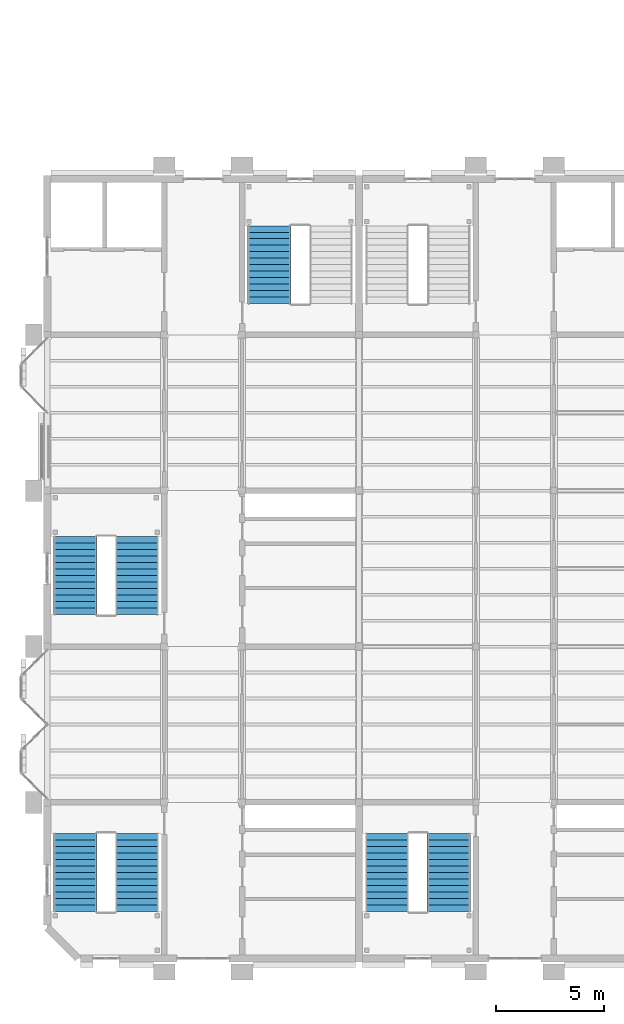
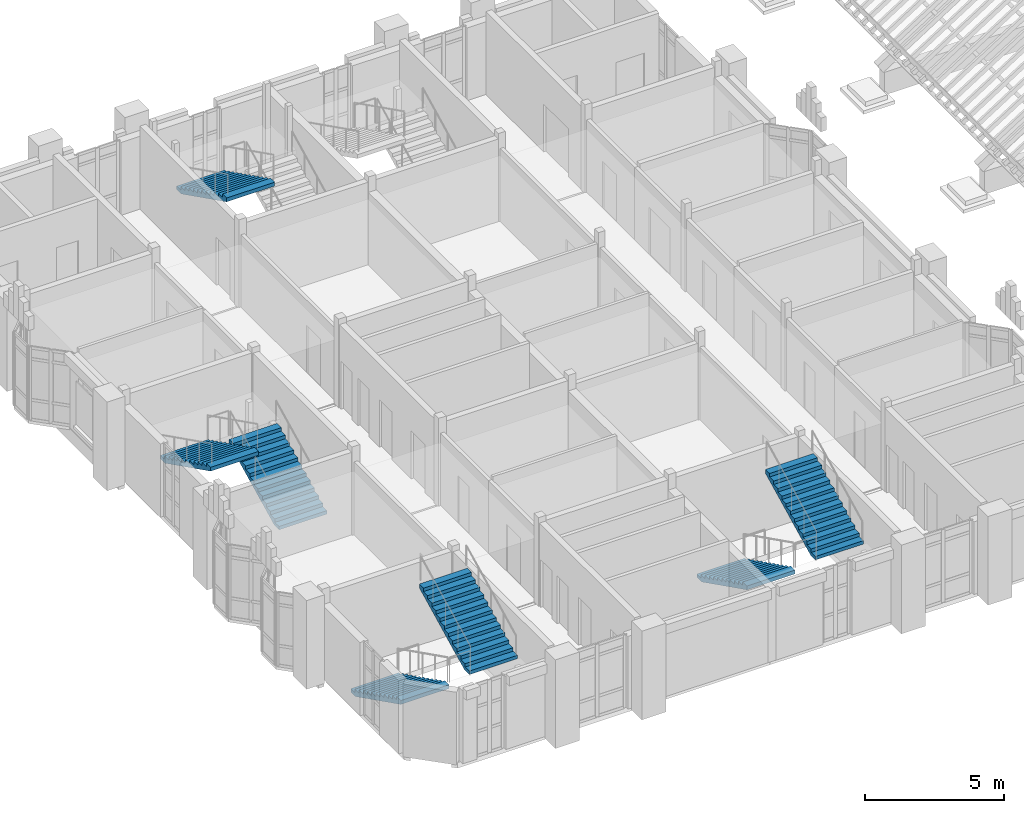
# One storey, part 59 of 71: 7 stair flights, 4 elements without a shape of their own.
"""IFC4 building model written with IfcOpenShell, lengths in metres."""

from ifc_helpers import new_model, si_unit, direction, frame, origin, place, context, subcontext, project, spatial, faceted_brep, material, type_object, element, aggregate, save


model = new_model("IFC4")

# Units and contexts
model_context = context("Model", 3, precision=1e-05, world=origin(), true_north=direction((0.0, 1.0)))
body_context = subcontext(model_context, "Body", "Model", "MODEL_VIEW")
ifc_project = project(units=[si_unit("LENGTHUNIT", "METRE"), si_unit("AREAUNIT", "SQUARE_METRE"), si_unit("VOLUMEUNIT", "CUBIC_METRE"), si_unit("PLANEANGLEUNIT", "RADIAN"), si_unit("MASSUNIT", "GRAM", prefix="KILO")], contexts=[model_context])

# Site, building, storey
site_placement = place(None, origin())
site = spatial("IfcSite", under=ifc_project, at=site_placement, CompositionType="ELEMENT")
building_placement = place(site_placement, origin())
building = spatial("IfcBuilding", under=site, at=building_placement, Name="Mazhai Court Health Centre", CompositionType="ELEMENT")
storey_placement = place(building_placement, frame((0.0, 0.0, 10.199951171875)))
storey = spatial("IfcBuildingStorey", under=building, at=storey_placement, Name="L02", CompositionType="ELEMENT", Elevation=10.199951171875)

# Stair, stair flights
ifc_material_1 = material(Name="Concrete M40", Category="concrete")
stair_type = type_object("IfcStairType", Name="RC STAIR 2000 26R", PredefinedType="DOUBLE_RETURN_STAIR", material=ifc_material_1)
stair_1_placement = place(storey_placement, origin())
stair_1 = element("IfcStair", 1, at=stair_1_placement, inside=storey, type_object=stair_type, Name="L02 Stair 1", PredefinedType="HALF_TURN_STAIR")
ifc_material_2 = material(Name="Concrete M40", Category="concrete")
stair_flight_type = type_object("IfcStairFlightType", Name="RC STAIR FLIGHT 13R 2000", PredefinedType="STRAIGHT", material=ifc_material_2)
stair_flight_1_placement = place(storey_placement, frame((7.4951171875, 11.965087890625, 0.0), z_axis=(0.0, 0.0, 1.0), x_axis=(0.0, -1.0, 0.0)))
stair_flight_1 = element("IfcStairFlight", 2, at=stair_flight_1_placement, type_object=stair_flight_type, Name="ST1 flight 1", NumberOfRisers=13, NumberOfTreads=12, PredefinedType="STRAIGHT", RiserHeight=0.15, TreadLength=0.3, context=body_context, shape_type="Brep", body=[
    faceted_brep([(0.0, 1.0, 0.0), (0.0, 1.0, 0.14990234375), (0.300048828125, 1.0, 0.14990234375), (0.300048828125, 1.0, 0.300048828125), (0.60009765625, 1.0, 0.300048828125), (0.60009765625, 1.0, 0.449951171875), (0.89990234375, 1.0, 0.449951171875), (0.89990234375, 1.0, 0.60009765625), (1.199951171875, 1.0, 0.60009765625), (1.199951171875, 1.0, 0.75), (1.5, 1.0, 0.75), (1.5, 1.0, 0.89990234375), (1.800048828125, 1.0, 0.89990234375), (1.800048828125, 1.0, 1.050048828125), (2.10009765625, 1.0, 1.050048828125), (2.10009765625, 1.0, 1.199951171875), (2.39990234375, 1.0, 1.199951171875), (2.39990234375, 1.0, 1.35009765625), (2.699951171875, 1.0, 1.35009765625), (2.699951171875, 1.0, 1.5), (3.0, 1.0, 1.5), (3.0, 1.0, 1.64990234375), (3.300048828125, 1.0, 1.64990234375), (3.300048828125, 1.0, 1.800048828125), (3.60009765625, 1.0, 1.800048828125), (3.60009765625, 1.0, 1.63232421875), (0.335205078125, 1.0, 0.0), (0.335205078125, -1.0, 0.0), (3.60009765625, -1.0, 1.63232421875), (3.60009765625, -1.0, 1.800048828125), (3.300048828125, -1.0, 1.800048828125), (3.300048828125, -1.0, 1.64990234375), (3.0, -1.0, 1.64990234375), (3.0, -1.0, 1.5), (2.699951171875, -1.0, 1.5), (2.699951171875, -1.0, 1.35009765625), (2.39990234375, -1.0, 1.35009765625), (2.39990234375, -1.0, 1.199951171875), (2.10009765625, -1.0, 1.199951171875), (2.10009765625, -1.0, 1.050048828125), (1.800048828125, -1.0, 1.050048828125), (1.800048828125, -1.0, 0.89990234375), (1.5, -1.0, 0.89990234375), (1.5, -1.0, 0.75), (1.199951171875, -1.0, 0.75), (1.199951171875, -1.0, 0.60009765625), (0.89990234375, -1.0, 0.60009765625), (0.89990234375, -1.0, 0.449951171875), (0.60009765625, -1.0, 0.449951171875), (0.60009765625, -1.0, 0.300048828125), (0.300048828125, -1.0, 0.300048828125), (0.300048828125, -1.0, 0.14990234375), (0.0, -1.0, 0.14990234375), (0.0, -1.0, 0.0), (0.0, 0.0, 0.0), (0.0, 0.0, 0.14990234375), (0.300048828125, 0.0, 0.14990234375), (0.300048828125, 0.0, 0.300048828125), (0.60009765625, 0.0, 0.300048828125), (0.60009765625, 0.0, 0.449951171875), (0.89990234375, 0.0, 0.449951171875), (0.89990234375, 0.0, 0.60009765625), (1.199951171875, 0.0, 0.60009765625), (1.199951171875, 0.0, 0.75), (1.5, 0.0, 0.75), (1.5, 0.0, 0.89990234375), (1.800048828125, 0.0, 0.89990234375), (1.800048828125, 0.0, 1.050048828125), (2.10009765625, 0.0, 1.050048828125), (2.10009765625, 0.0, 1.199951171875), (2.39990234375, 0.0, 1.199951171875), (2.39990234375, 0.0, 1.35009765625), (2.699951171875, 0.0, 1.35009765625), (2.699951171875, 0.0, 1.5), (3.0, 0.0, 1.5), (3.0, 0.0, 1.64990234375), (3.300048828125, 0.0, 1.64990234375), (3.300048828125, 0.0, 1.800048828125), (3.60009765625, 0.0, 1.800048828125), (3.60009765625, 0.0, 1.63232421875), (0.335205078125, 0.0, 0.0)], [[[0, 1, 2, 3, 4, 5, 6, 7, 8, 9, 10, 11, 12, 13, 14, 15, 16, 17, 18, 19, 20, 21, 22, 23, 24, 25, 26]], [[27, 28, 29, 30, 31, 32, 33, 34, 35, 36, 37, 38, 39, 40, 41, 42, 43, 44, 45, 46, 47, 48, 49, 50, 51, 52, 53]], [[54, 55, 1, 0]], [[53, 52, 55, 54]], [[55, 56, 2, 1]], [[52, 51, 56, 55]], [[56, 57, 3, 2]], [[51, 50, 57, 56]], [[57, 58, 4, 3]], [[50, 49, 58, 57]], [[58, 59, 5, 4]], [[49, 48, 59, 58]], [[59, 60, 6, 5]], [[48, 47, 60, 59]], [[60, 61, 7, 6]], [[47, 46, 61, 60]], [[61, 62, 8, 7]], [[46, 45, 62, 61]], [[62, 63, 9, 8]], [[45, 44, 63, 62]], [[63, 64, 10, 9]], [[44, 43, 64, 63]], [[64, 65, 11, 10]], [[43, 42, 65, 64]], [[65, 66, 12, 11]], [[42, 41, 66, 65]], [[66, 67, 13, 12]], [[41, 40, 67, 66]], [[67, 68, 14, 13]], [[40, 39, 68, 67]], [[68, 69, 15, 14]], [[39, 38, 69, 68]], [[69, 70, 16, 15]], [[38, 37, 70, 69]], [[70, 71, 17, 16]], [[37, 36, 71, 70]], [[71, 72, 18, 17]], [[36, 35, 72, 71]], [[72, 73, 19, 18]], [[35, 34, 73, 72]], [[73, 74, 20, 19]], [[34, 33, 74, 73]], [[74, 75, 21, 20]], [[33, 32, 75, 74]], [[75, 76, 22, 21]], [[32, 31, 76, 75]], [[76, 77, 23, 22]], [[31, 30, 77, 76]], [[77, 78, 24, 23]], [[30, 29, 78, 77]], [[78, 79, 25, 24]], [[29, 28, 79, 78]], [[79, 80, 26, 25]], [[28, 27, 80, 79]], [[80, 54, 0, 26]], [[27, 53, 54, 80]]]),
])
stair_flight_2_placement = place(storey_placement, frame((10.344970703125, 8.364990234375, 1.949951171875), z_axis=(0.0, 0.0, 1.0), x_axis=(0.0, 1.0, 0.0)))
stair_flight_2 = element("IfcStairFlight", 3, at=stair_flight_2_placement, type_object=stair_flight_type, Name="ST1 flight 2", NumberOfRisers=13, NumberOfTreads=12, PredefinedType="STRAIGHT", RiserHeight=0.15, TreadLength=0.3, context=body_context, shape_type="Brep", body=[
    faceted_brep([(0.0, 1.0, 0.0), (0.0, 1.0, 0.14990234375), (0.300048828125, 1.0, 0.14990234375), (0.300048828125, 1.0, 0.300048828125), (0.60009765625, 1.0, 0.300048828125), (0.60009765625, 1.0, 0.449951171875), (0.89990234375, 1.0, 0.449951171875), (0.89990234375, 1.0, 0.60009765625), (1.199951171875, 1.0, 0.60009765625), (1.199951171875, 1.0, 0.75), (1.5, 1.0, 0.75), (1.5, 1.0, 0.89990234375), (1.800048828125, 1.0, 0.89990234375), (1.800048828125, 1.0, 1.050048828125), (2.10009765625, 1.0, 1.050048828125), (2.10009765625, 1.0, 1.199951171875), (2.39990234375, 1.0, 1.199951171875), (2.39990234375, 1.0, 1.35009765625), (2.699951171875, 1.0, 1.35009765625), (2.699951171875, 1.0, 1.5), (3.0, 1.0, 1.5), (3.0, 1.0, 1.64990234375), (3.300048828125, 1.0, 1.64990234375), (3.300048828125, 1.0, 1.800048828125), (3.60009765625, 1.0, 1.800048828125), (3.60009765625, 1.0, 1.63232421875), (0.335205078125, 1.0, 0.0), (0.335205078125, -1.0, 0.0), (3.60009765625, -1.0, 1.63232421875), (3.60009765625, -1.0, 1.800048828125), (3.300048828125, -1.0, 1.800048828125), (3.300048828125, -1.0, 1.64990234375), (3.0, -1.0, 1.64990234375), (3.0, -1.0, 1.5), (2.699951171875, -1.0, 1.5), (2.699951171875, -1.0, 1.35009765625), (2.39990234375, -1.0, 1.35009765625), (2.39990234375, -1.0, 1.199951171875), (2.10009765625, -1.0, 1.199951171875), (2.10009765625, -1.0, 1.050048828125), (1.800048828125, -1.0, 1.050048828125), (1.800048828125, -1.0, 0.89990234375), (1.5, -1.0, 0.89990234375), (1.5, -1.0, 0.75), (1.199951171875, -1.0, 0.75), (1.199951171875, -1.0, 0.60009765625), (0.89990234375, -1.0, 0.60009765625), (0.89990234375, -1.0, 0.449951171875), (0.60009765625, -1.0, 0.449951171875), (0.60009765625, -1.0, 0.300048828125), (0.300048828125, -1.0, 0.300048828125), (0.300048828125, -1.0, 0.14990234375), (0.0, -1.0, 0.14990234375), (0.0, -1.0, 0.0), (0.0, 0.0, 0.0), (0.0, 0.0, 0.14990234375), (0.300048828125, 0.0, 0.14990234375), (0.300048828125, 0.0, 0.300048828125), (0.60009765625, 0.0, 0.300048828125), (0.60009765625, 0.0, 0.449951171875), (0.89990234375, 0.0, 0.449951171875), (0.89990234375, 0.0, 0.60009765625), (1.199951171875, 0.0, 0.60009765625), (1.199951171875, 0.0, 0.75), (1.5, 0.0, 0.75), (1.5, 0.0, 0.89990234375), (1.800048828125, 0.0, 0.89990234375), (1.800048828125, 0.0, 1.050048828125), (2.10009765625, 0.0, 1.050048828125), (2.10009765625, 0.0, 1.199951171875), (2.39990234375, 0.0, 1.199951171875), (2.39990234375, 0.0, 1.35009765625), (2.699951171875, 0.0, 1.35009765625), (2.699951171875, 0.0, 1.5), (3.0, 0.0, 1.5), (3.0, 0.0, 1.64990234375), (3.300048828125, 0.0, 1.64990234375), (3.300048828125, 0.0, 1.800048828125), (3.60009765625, 0.0, 1.800048828125), (3.60009765625, 0.0, 1.63232421875), (0.335205078125, 0.0, 0.0)], [[[0, 1, 2, 3, 4, 5, 6, 7, 8, 9, 10, 11, 12, 13, 14, 15, 16, 17, 18, 19, 20, 21, 22, 23, 24, 25, 26]], [[27, 28, 29, 30, 31, 32, 33, 34, 35, 36, 37, 38, 39, 40, 41, 42, 43, 44, 45, 46, 47, 48, 49, 50, 51, 52, 53]], [[54, 55, 1, 0]], [[53, 52, 55, 54]], [[55, 56, 2, 1]], [[52, 51, 56, 55]], [[56, 57, 3, 2]], [[51, 50, 57, 56]], [[57, 58, 4, 3]], [[50, 49, 58, 57]], [[58, 59, 5, 4]], [[49, 48, 59, 58]], [[59, 60, 6, 5]], [[48, 47, 60, 59]], [[60, 61, 7, 6]], [[47, 46, 61, 60]], [[61, 62, 8, 7]], [[46, 45, 62, 61]], [[62, 63, 9, 8]], [[45, 44, 63, 62]], [[63, 64, 10, 9]], [[44, 43, 64, 63]], [[64, 65, 11, 10]], [[43, 42, 65, 64]], [[65, 66, 12, 11]], [[42, 41, 66, 65]], [[66, 67, 13, 12]], [[41, 40, 67, 66]], [[67, 68, 14, 13]], [[40, 39, 68, 67]], [[68, 69, 15, 14]], [[39, 38, 69, 68]], [[69, 70, 16, 15]], [[38, 37, 70, 69]], [[70, 71, 17, 16]], [[37, 36, 71, 70]], [[71, 72, 18, 17]], [[36, 35, 72, 71]], [[72, 73, 19, 18]], [[35, 34, 73, 72]], [[73, 74, 20, 19]], [[34, 33, 74, 73]], [[74, 75, 21, 20]], [[33, 32, 75, 74]], [[75, 76, 22, 21]], [[32, 31, 76, 75]], [[76, 77, 23, 22]], [[31, 30, 77, 76]], [[77, 78, 24, 23]], [[30, 29, 78, 77]], [[78, 79, 25, 24]], [[29, 28, 79, 78]], [[79, 80, 26, 25]], [[28, 27, 80, 79]], [[80, 54, 0, 26]], [[27, 53, 54, 80]]]),
])
aggregate(stair_1, [stair_flight_1, stair_flight_2])

stair_2_placement = place(storey_placement, origin())
stair_2 = element("IfcStair", 4, at=stair_2_placement, inside=storey, type_object=stair_type, Name="L02 Stair 2", PredefinedType="HALF_TURN_STAIR")
stair_flight_3_placement = place(storey_placement, frame((10.344970703125, 22.074951171875, 0.0), z_axis=(0.0, 0.0, 1.0), x_axis=(0.0, 1.0, 0.0)))
stair_flight_3 = element("IfcStairFlight", 5, at=stair_flight_3_placement, type_object=stair_flight_type, Name="ST2 flight 1", NumberOfRisers=13, NumberOfTreads=12, PredefinedType="STRAIGHT", RiserHeight=0.15, TreadLength=0.3, context=body_context, shape_type="Brep", body=[
    faceted_brep([(0.0, 1.0, 0.0), (0.0, 1.0, 0.14990234375), (0.300048828125, 1.0, 0.14990234375), (0.300048828125, 1.0, 0.300048828125), (0.60009765625, 1.0, 0.300048828125), (0.60009765625, 1.0, 0.449951171875), (0.89990234375, 1.0, 0.449951171875), (0.89990234375, 1.0, 0.60009765625), (1.199951171875, 1.0, 0.60009765625), (1.199951171875, 1.0, 0.75), (1.5, 1.0, 0.75), (1.5, 1.0, 0.89990234375), (1.800048828125, 1.0, 0.89990234375), (1.800048828125, 1.0, 1.050048828125), (2.10009765625, 1.0, 1.050048828125), (2.10009765625, 1.0, 1.199951171875), (2.39990234375, 1.0, 1.199951171875), (2.39990234375, 1.0, 1.35009765625), (2.699951171875, 1.0, 1.35009765625), (2.699951171875, 1.0, 1.5), (3.0, 1.0, 1.5), (3.0, 1.0, 1.64990234375), (3.300048828125, 1.0, 1.64990234375), (3.300048828125, 1.0, 1.800048828125), (3.60009765625, 1.0, 1.800048828125), (3.60009765625, 1.0, 1.63232421875), (0.335205078125, 1.0, 0.0), (0.335205078125, -1.0, 0.0), (3.60009765625, -1.0, 1.63232421875), (3.60009765625, -1.0, 1.800048828125), (3.300048828125, -1.0, 1.800048828125), (3.300048828125, -1.0, 1.64990234375), (3.0, -1.0, 1.64990234375), (3.0, -1.0, 1.5), (2.699951171875, -1.0, 1.5), (2.699951171875, -1.0, 1.35009765625), (2.39990234375, -1.0, 1.35009765625), (2.39990234375, -1.0, 1.199951171875), (2.10009765625, -1.0, 1.199951171875), (2.10009765625, -1.0, 1.050048828125), (1.800048828125, -1.0, 1.050048828125), (1.800048828125, -1.0, 0.89990234375), (1.5, -1.0, 0.89990234375), (1.5, -1.0, 0.75), (1.199951171875, -1.0, 0.75), (1.199951171875, -1.0, 0.60009765625), (0.89990234375, -1.0, 0.60009765625), (0.89990234375, -1.0, 0.449951171875), (0.60009765625, -1.0, 0.449951171875), (0.60009765625, -1.0, 0.300048828125), (0.300048828125, -1.0, 0.300048828125), (0.300048828125, -1.0, 0.14990234375), (0.0, -1.0, 0.14990234375), (0.0, -1.0, 0.0), (0.0, 0.0, 0.0), (0.0, 0.0, 0.14990234375), (0.300048828125, 0.0, 0.14990234375), (0.300048828125, 0.0, 0.300048828125), (0.60009765625, 0.0, 0.300048828125), (0.60009765625, 0.0, 0.449951171875), (0.89990234375, 0.0, 0.449951171875), (0.89990234375, 0.0, 0.60009765625), (1.199951171875, 0.0, 0.60009765625), (1.199951171875, 0.0, 0.75), (1.5, 0.0, 0.75), (1.5, 0.0, 0.89990234375), (1.800048828125, 0.0, 0.89990234375), (1.800048828125, 0.0, 1.050048828125), (2.10009765625, 0.0, 1.050048828125), (2.10009765625, 0.0, 1.199951171875), (2.39990234375, 0.0, 1.199951171875), (2.39990234375, 0.0, 1.35009765625), (2.699951171875, 0.0, 1.35009765625), (2.699951171875, 0.0, 1.5), (3.0, 0.0, 1.5), (3.0, 0.0, 1.64990234375), (3.300048828125, 0.0, 1.64990234375), (3.300048828125, 0.0, 1.800048828125), (3.60009765625, 0.0, 1.800048828125), (3.60009765625, 0.0, 1.63232421875), (0.335205078125, 0.0, 0.0)], [[[0, 1, 2, 3, 4, 5, 6, 7, 8, 9, 10, 11, 12, 13, 14, 15, 16, 17, 18, 19, 20, 21, 22, 23, 24, 25, 26]], [[27, 28, 29, 30, 31, 32, 33, 34, 35, 36, 37, 38, 39, 40, 41, 42, 43, 44, 45, 46, 47, 48, 49, 50, 51, 52, 53]], [[54, 55, 1, 0]], [[53, 52, 55, 54]], [[55, 56, 2, 1]], [[52, 51, 56, 55]], [[56, 57, 3, 2]], [[51, 50, 57, 56]], [[57, 58, 4, 3]], [[50, 49, 58, 57]], [[58, 59, 5, 4]], [[49, 48, 59, 58]], [[59, 60, 6, 5]], [[48, 47, 60, 59]], [[60, 61, 7, 6]], [[47, 46, 61, 60]], [[61, 62, 8, 7]], [[46, 45, 62, 61]], [[62, 63, 9, 8]], [[45, 44, 63, 62]], [[63, 64, 10, 9]], [[44, 43, 64, 63]], [[64, 65, 11, 10]], [[43, 42, 65, 64]], [[65, 66, 12, 11]], [[42, 41, 66, 65]], [[66, 67, 13, 12]], [[41, 40, 67, 66]], [[67, 68, 14, 13]], [[40, 39, 68, 67]], [[68, 69, 15, 14]], [[39, 38, 69, 68]], [[69, 70, 16, 15]], [[38, 37, 70, 69]], [[70, 71, 17, 16]], [[37, 36, 71, 70]], [[71, 72, 18, 17]], [[36, 35, 72, 71]], [[72, 73, 19, 18]], [[35, 34, 73, 72]], [[73, 74, 20, 19]], [[34, 33, 74, 73]], [[74, 75, 21, 20]], [[33, 32, 75, 74]], [[75, 76, 22, 21]], [[32, 31, 76, 75]], [[76, 77, 23, 22]], [[31, 30, 77, 76]], [[77, 78, 24, 23]], [[30, 29, 78, 77]], [[78, 79, 25, 24]], [[29, 28, 79, 78]], [[79, 80, 26, 25]], [[28, 27, 80, 79]], [[80, 54, 0, 26]], [[27, 53, 54, 80]]]),
])
stair_flight_4_placement = place(storey_placement, frame((7.4951171875, 25.675048828125, 1.949951171875), z_axis=(0.0, 0.0, 1.0), x_axis=(0.0, -1.0, 0.0)))
stair_flight_4 = element("IfcStairFlight", 6, at=stair_flight_4_placement, type_object=stair_flight_type, Name="ST2 flight 2", NumberOfRisers=13, NumberOfTreads=12, PredefinedType="STRAIGHT", RiserHeight=0.15, TreadLength=0.3, context=body_context, shape_type="Brep", body=[
    faceted_brep([(0.0, 1.0, 0.0), (0.0, 1.0, 0.14990234375), (0.300048828125, 1.0, 0.14990234375), (0.300048828125, 1.0, 0.300048828125), (0.60009765625, 1.0, 0.300048828125), (0.60009765625, 1.0, 0.449951171875), (0.89990234375, 1.0, 0.449951171875), (0.89990234375, 1.0, 0.60009765625), (1.199951171875, 1.0, 0.60009765625), (1.199951171875, 1.0, 0.75), (1.5, 1.0, 0.75), (1.5, 1.0, 0.89990234375), (1.800048828125, 1.0, 0.89990234375), (1.800048828125, 1.0, 1.050048828125), (2.10009765625, 1.0, 1.050048828125), (2.10009765625, 1.0, 1.199951171875), (2.39990234375, 1.0, 1.199951171875), (2.39990234375, 1.0, 1.35009765625), (2.699951171875, 1.0, 1.35009765625), (2.699951171875, 1.0, 1.5), (3.0, 1.0, 1.5), (3.0, 1.0, 1.64990234375), (3.300048828125, 1.0, 1.64990234375), (3.300048828125, 1.0, 1.800048828125), (3.60009765625, 1.0, 1.800048828125), (3.60009765625, 1.0, 1.63232421875), (0.335205078125, 1.0, 0.0), (0.335205078125, -1.0, 0.0), (3.60009765625, -1.0, 1.63232421875), (3.60009765625, -1.0, 1.800048828125), (3.300048828125, -1.0, 1.800048828125), (3.300048828125, -1.0, 1.64990234375), (3.0, -1.0, 1.64990234375), (3.0, -1.0, 1.5), (2.699951171875, -1.0, 1.5), (2.699951171875, -1.0, 1.35009765625), (2.39990234375, -1.0, 1.35009765625), (2.39990234375, -1.0, 1.199951171875), (2.10009765625, -1.0, 1.199951171875), (2.10009765625, -1.0, 1.050048828125), (1.800048828125, -1.0, 1.050048828125), (1.800048828125, -1.0, 0.89990234375), (1.5, -1.0, 0.89990234375), (1.5, -1.0, 0.75), (1.199951171875, -1.0, 0.75), (1.199951171875, -1.0, 0.60009765625), (0.89990234375, -1.0, 0.60009765625), (0.89990234375, -1.0, 0.449951171875), (0.60009765625, -1.0, 0.449951171875), (0.60009765625, -1.0, 0.300048828125), (0.300048828125, -1.0, 0.300048828125), (0.300048828125, -1.0, 0.14990234375), (0.0, -1.0, 0.14990234375), (0.0, -1.0, 0.0), (0.0, 0.0, 0.0), (0.0, 0.0, 0.14990234375), (0.300048828125, 0.0, 0.14990234375), (0.300048828125, 0.0, 0.300048828125), (0.60009765625, 0.0, 0.300048828125), (0.60009765625, 0.0, 0.449951171875), (0.89990234375, 0.0, 0.449951171875), (0.89990234375, 0.0, 0.60009765625), (1.199951171875, 0.0, 0.60009765625), (1.199951171875, 0.0, 0.75), (1.5, 0.0, 0.75), (1.5, 0.0, 0.89990234375), (1.800048828125, 0.0, 0.89990234375), (1.800048828125, 0.0, 1.050048828125), (2.10009765625, 0.0, 1.050048828125), (2.10009765625, 0.0, 1.199951171875), (2.39990234375, 0.0, 1.199951171875), (2.39990234375, 0.0, 1.35009765625), (2.699951171875, 0.0, 1.35009765625), (2.699951171875, 0.0, 1.5), (3.0, 0.0, 1.5), (3.0, 0.0, 1.64990234375), (3.300048828125, 0.0, 1.64990234375), (3.300048828125, 0.0, 1.800048828125), (3.60009765625, 0.0, 1.800048828125), (3.60009765625, 0.0, 1.63232421875), (0.335205078125, 0.0, 0.0)], [[[0, 1, 2, 3, 4, 5, 6, 7, 8, 9, 10, 11, 12, 13, 14, 15, 16, 17, 18, 19, 20, 21, 22, 23, 24, 25, 26]], [[27, 28, 29, 30, 31, 32, 33, 34, 35, 36, 37, 38, 39, 40, 41, 42, 43, 44, 45, 46, 47, 48, 49, 50, 51, 52, 53]], [[54, 55, 1, 0]], [[53, 52, 55, 54]], [[55, 56, 2, 1]], [[52, 51, 56, 55]], [[56, 57, 3, 2]], [[51, 50, 57, 56]], [[57, 58, 4, 3]], [[50, 49, 58, 57]], [[58, 59, 5, 4]], [[49, 48, 59, 58]], [[59, 60, 6, 5]], [[48, 47, 60, 59]], [[60, 61, 7, 6]], [[47, 46, 61, 60]], [[61, 62, 8, 7]], [[46, 45, 62, 61]], [[62, 63, 9, 8]], [[45, 44, 63, 62]], [[63, 64, 10, 9]], [[44, 43, 64, 63]], [[64, 65, 11, 10]], [[43, 42, 65, 64]], [[65, 66, 12, 11]], [[42, 41, 66, 65]], [[66, 67, 13, 12]], [[41, 40, 67, 66]], [[67, 68, 14, 13]], [[40, 39, 68, 67]], [[68, 69, 15, 14]], [[39, 38, 69, 68]], [[69, 70, 16, 15]], [[38, 37, 70, 69]], [[70, 71, 17, 16]], [[37, 36, 71, 70]], [[71, 72, 18, 17]], [[36, 35, 72, 71]], [[72, 73, 19, 18]], [[35, 34, 73, 72]], [[73, 74, 20, 19]], [[34, 33, 74, 73]], [[74, 75, 21, 20]], [[33, 32, 75, 74]], [[75, 76, 22, 21]], [[32, 31, 76, 75]], [[76, 77, 23, 22]], [[31, 30, 77, 76]], [[77, 78, 24, 23]], [[30, 29, 78, 77]], [[78, 79, 25, 24]], [[29, 28, 79, 78]], [[79, 80, 26, 25]], [[28, 27, 80, 79]], [[80, 54, 0, 26]], [[27, 53, 54, 80]]]),
])
aggregate(stair_2, [stair_flight_3, stair_flight_4])

# Stair, stair flight
stair_3_placement = place(storey_placement, origin())
stair_3 = element("IfcStair", 7, at=stair_3_placement, inside=storey, type_object=stair_type, Name="L02 Stair 3", PredefinedType="HALF_TURN_STAIR")
stair_flight_5_placement = place(storey_placement, frame((16.455078125, 40.034912109375, 1.949951171875), z_axis=(0.0, 0.0, 1.0), x_axis=(0.0, -1.0, 0.0)))
stair_flight_5 = element("IfcStairFlight", 8, at=stair_flight_5_placement, type_object=stair_flight_type, Name="ST3 flight 2", NumberOfRisers=13, NumberOfTreads=12, PredefinedType="STRAIGHT", RiserHeight=0.15, TreadLength=0.3, context=body_context, shape_type="Brep", body=[
    faceted_brep([(0.0, 1.0, 0.0), (0.0, 1.0, 0.14990234375), (0.300048828125, 1.0, 0.14990234375), (0.300048828125, 1.0, 0.300048828125), (0.60009765625, 1.0, 0.300048828125), (0.60009765625, 1.0, 0.449951171875), (0.89990234375, 1.0, 0.449951171875), (0.89990234375, 1.0, 0.60009765625), (1.199951171875, 1.0, 0.60009765625), (1.199951171875, 1.0, 0.75), (1.5, 1.0, 0.75), (1.5, 1.0, 0.89990234375), (1.800048828125, 1.0, 0.89990234375), (1.800048828125, 1.0, 1.050048828125), (2.10009765625, 1.0, 1.050048828125), (2.10009765625, 1.0, 1.199951171875), (2.39990234375, 1.0, 1.199951171875), (2.39990234375, 1.0, 1.35009765625), (2.699951171875, 1.0, 1.35009765625), (2.699951171875, 1.0, 1.5), (3.0, 1.0, 1.5), (3.0, 1.0, 1.64990234375), (3.300048828125, 1.0, 1.64990234375), (3.300048828125, 1.0, 1.800048828125), (3.60009765625, 1.0, 1.800048828125), (3.60009765625, 1.0, 1.63232421875), (0.335205078125, 1.0, 0.0), (0.335205078125, -1.0, 0.0), (3.60009765625, -1.0, 1.63232421875), (3.60009765625, -1.0, 1.800048828125), (3.300048828125, -1.0, 1.800048828125), (3.300048828125, -1.0, 1.64990234375), (3.0, -1.0, 1.64990234375), (3.0, -1.0, 1.5), (2.699951171875, -1.0, 1.5), (2.699951171875, -1.0, 1.35009765625), (2.39990234375, -1.0, 1.35009765625), (2.39990234375, -1.0, 1.199951171875), (2.10009765625, -1.0, 1.199951171875), (2.10009765625, -1.0, 1.050048828125), (1.800048828125, -1.0, 1.050048828125), (1.800048828125, -1.0, 0.89990234375), (1.5, -1.0, 0.89990234375), (1.5, -1.0, 0.75), (1.199951171875, -1.0, 0.75), (1.199951171875, -1.0, 0.60009765625), (0.89990234375, -1.0, 0.60009765625), (0.89990234375, -1.0, 0.449951171875), (0.60009765625, -1.0, 0.449951171875), (0.60009765625, -1.0, 0.300048828125), (0.300048828125, -1.0, 0.300048828125), (0.300048828125, -1.0, 0.14990234375), (0.0, -1.0, 0.14990234375), (0.0, -1.0, 0.0), (0.0, 0.0, 0.0), (0.0, 0.0, 0.14990234375), (0.300048828125, 0.0, 0.14990234375), (0.300048828125, 0.0, 0.300048828125), (0.60009765625, 0.0, 0.300048828125), (0.60009765625, 0.0, 0.449951171875), (0.89990234375, 0.0, 0.449951171875), (0.89990234375, 0.0, 0.60009765625), (1.199951171875, 0.0, 0.60009765625), (1.199951171875, 0.0, 0.75), (1.5, 0.0, 0.75), (1.5, 0.0, 0.89990234375), (1.800048828125, 0.0, 0.89990234375), (1.800048828125, 0.0, 1.050048828125), (2.10009765625, 0.0, 1.050048828125), (2.10009765625, 0.0, 1.199951171875), (2.39990234375, 0.0, 1.199951171875), (2.39990234375, 0.0, 1.35009765625), (2.699951171875, 0.0, 1.35009765625), (2.699951171875, 0.0, 1.5), (3.0, 0.0, 1.5), (3.0, 0.0, 1.64990234375), (3.300048828125, 0.0, 1.64990234375), (3.300048828125, 0.0, 1.800048828125), (3.60009765625, 0.0, 1.800048828125), (3.60009765625, 0.0, 1.63232421875), (0.335205078125, 0.0, 0.0)], [[[0, 1, 2, 3, 4, 5, 6, 7, 8, 9, 10, 11, 12, 13, 14, 15, 16, 17, 18, 19, 20, 21, 22, 23, 24, 25, 26]], [[27, 28, 29, 30, 31, 32, 33, 34, 35, 36, 37, 38, 39, 40, 41, 42, 43, 44, 45, 46, 47, 48, 49, 50, 51, 52, 53]], [[54, 55, 1, 0]], [[53, 52, 55, 54]], [[55, 56, 2, 1]], [[52, 51, 56, 55]], [[56, 57, 3, 2]], [[51, 50, 57, 56]], [[57, 58, 4, 3]], [[50, 49, 58, 57]], [[58, 59, 5, 4]], [[49, 48, 59, 58]], [[59, 60, 6, 5]], [[48, 47, 60, 59]], [[60, 61, 7, 6]], [[47, 46, 61, 60]], [[61, 62, 8, 7]], [[46, 45, 62, 61]], [[62, 63, 9, 8]], [[45, 44, 63, 62]], [[63, 64, 10, 9]], [[44, 43, 64, 63]], [[64, 65, 11, 10]], [[43, 42, 65, 64]], [[65, 66, 12, 11]], [[42, 41, 66, 65]], [[66, 67, 13, 12]], [[41, 40, 67, 66]], [[67, 68, 14, 13]], [[40, 39, 68, 67]], [[68, 69, 15, 14]], [[39, 38, 69, 68]], [[69, 70, 16, 15]], [[38, 37, 70, 69]], [[70, 71, 17, 16]], [[37, 36, 71, 70]], [[71, 72, 18, 17]], [[36, 35, 72, 71]], [[72, 73, 19, 18]], [[35, 34, 73, 72]], [[73, 74, 20, 19]], [[34, 33, 74, 73]], [[74, 75, 21, 20]], [[33, 32, 75, 74]], [[75, 76, 22, 21]], [[32, 31, 76, 75]], [[76, 77, 23, 22]], [[31, 30, 77, 76]], [[77, 78, 24, 23]], [[30, 29, 78, 77]], [[78, 79, 25, 24]], [[29, 28, 79, 78]], [[79, 80, 26, 25]], [[28, 27, 80, 79]], [[80, 54, 0, 26]], [[27, 53, 54, 80]]]),
])
aggregate(stair_3, [stair_flight_5])

# Stair, stair flights
stair_4_placement = place(storey_placement, origin())
stair_4 = element("IfcStair", 9, at=stair_4_placement, inside=storey, type_object=stair_type, Name="L02 Stair 4", PredefinedType="HALF_TURN_STAIR")
stair_flight_6_placement = place(storey_placement, frame((21.89501953125, 11.965087890625, 0.0), z_axis=(0.0, 0.0, 1.0), x_axis=(0.0, -1.0, 0.0)))
stair_flight_6 = element("IfcStairFlight", 10, at=stair_flight_6_placement, type_object=stair_flight_type, Name="ST4 flight 1", NumberOfRisers=13, NumberOfTreads=12, PredefinedType="STRAIGHT", RiserHeight=0.15, TreadLength=0.3, context=body_context, shape_type="Brep", body=[
    faceted_brep([(0.0, 1.0, 0.0), (0.0, 1.0, 0.14990234375), (0.300048828125, 1.0, 0.14990234375), (0.300048828125, 1.0, 0.300048828125), (0.60009765625, 1.0, 0.300048828125), (0.60009765625, 1.0, 0.449951171875), (0.89990234375, 1.0, 0.449951171875), (0.89990234375, 1.0, 0.60009765625), (1.199951171875, 1.0, 0.60009765625), (1.199951171875, 1.0, 0.75), (1.5, 1.0, 0.75), (1.5, 1.0, 0.89990234375), (1.800048828125, 1.0, 0.89990234375), (1.800048828125, 1.0, 1.050048828125), (2.10009765625, 1.0, 1.050048828125), (2.10009765625, 1.0, 1.199951171875), (2.39990234375, 1.0, 1.199951171875), (2.39990234375, 1.0, 1.35009765625), (2.699951171875, 1.0, 1.35009765625), (2.699951171875, 1.0, 1.5), (3.0, 1.0, 1.5), (3.0, 1.0, 1.64990234375), (3.300048828125, 1.0, 1.64990234375), (3.300048828125, 1.0, 1.800048828125), (3.60009765625, 1.0, 1.800048828125), (3.60009765625, 1.0, 1.63232421875), (0.335205078125, 1.0, 0.0), (0.335205078125, -1.0, 0.0), (3.60009765625, -1.0, 1.63232421875), (3.60009765625, -1.0, 1.800048828125), (3.300048828125, -1.0, 1.800048828125), (3.300048828125, -1.0, 1.64990234375), (3.0, -1.0, 1.64990234375), (3.0, -1.0, 1.5), (2.699951171875, -1.0, 1.5), (2.699951171875, -1.0, 1.35009765625), (2.39990234375, -1.0, 1.35009765625), (2.39990234375, -1.0, 1.199951171875), (2.10009765625, -1.0, 1.199951171875), (2.10009765625, -1.0, 1.050048828125), (1.800048828125, -1.0, 1.050048828125), (1.800048828125, -1.0, 0.89990234375), (1.5, -1.0, 0.89990234375), (1.5, -1.0, 0.75), (1.199951171875, -1.0, 0.75), (1.199951171875, -1.0, 0.60009765625), (0.89990234375, -1.0, 0.60009765625), (0.89990234375, -1.0, 0.449951171875), (0.60009765625, -1.0, 0.449951171875), (0.60009765625, -1.0, 0.300048828125), (0.300048828125, -1.0, 0.300048828125), (0.300048828125, -1.0, 0.14990234375), (0.0, -1.0, 0.14990234375), (0.0, -1.0, 0.0), (0.0, 0.0, 0.0), (0.0, 0.0, 0.14990234375), (0.300048828125, 0.0, 0.14990234375), (0.300048828125, 0.0, 0.300048828125), (0.60009765625, 0.0, 0.300048828125), (0.60009765625, 0.0, 0.449951171875), (0.89990234375, 0.0, 0.449951171875), (0.89990234375, 0.0, 0.60009765625), (1.199951171875, 0.0, 0.60009765625), (1.199951171875, 0.0, 0.75), (1.5, 0.0, 0.75), (1.5, 0.0, 0.89990234375), (1.800048828125, 0.0, 0.89990234375), (1.800048828125, 0.0, 1.050048828125), (2.10009765625, 0.0, 1.050048828125), (2.10009765625, 0.0, 1.199951171875), (2.39990234375, 0.0, 1.199951171875), (2.39990234375, 0.0, 1.35009765625), (2.699951171875, 0.0, 1.35009765625), (2.699951171875, 0.0, 1.5), (3.0, 0.0, 1.5), (3.0, 0.0, 1.64990234375), (3.300048828125, 0.0, 1.64990234375), (3.300048828125, 0.0, 1.800048828125), (3.60009765625, 0.0, 1.800048828125), (3.60009765625, 0.0, 1.63232421875), (0.335205078125, 0.0, 0.0)], [[[0, 1, 2, 3, 4, 5, 6, 7, 8, 9, 10, 11, 12, 13, 14, 15, 16, 17, 18, 19, 20, 21, 22, 23, 24, 25, 26]], [[27, 28, 29, 30, 31, 32, 33, 34, 35, 36, 37, 38, 39, 40, 41, 42, 43, 44, 45, 46, 47, 48, 49, 50, 51, 52, 53]], [[54, 55, 1, 0]], [[53, 52, 55, 54]], [[55, 56, 2, 1]], [[52, 51, 56, 55]], [[56, 57, 3, 2]], [[51, 50, 57, 56]], [[57, 58, 4, 3]], [[50, 49, 58, 57]], [[58, 59, 5, 4]], [[49, 48, 59, 58]], [[59, 60, 6, 5]], [[48, 47, 60, 59]], [[60, 61, 7, 6]], [[47, 46, 61, 60]], [[61, 62, 8, 7]], [[46, 45, 62, 61]], [[62, 63, 9, 8]], [[45, 44, 63, 62]], [[63, 64, 10, 9]], [[44, 43, 64, 63]], [[64, 65, 11, 10]], [[43, 42, 65, 64]], [[65, 66, 12, 11]], [[42, 41, 66, 65]], [[66, 67, 13, 12]], [[41, 40, 67, 66]], [[67, 68, 14, 13]], [[40, 39, 68, 67]], [[68, 69, 15, 14]], [[39, 38, 69, 68]], [[69, 70, 16, 15]], [[38, 37, 70, 69]], [[70, 71, 17, 16]], [[37, 36, 71, 70]], [[71, 72, 18, 17]], [[36, 35, 72, 71]], [[72, 73, 19, 18]], [[35, 34, 73, 72]], [[73, 74, 20, 19]], [[34, 33, 74, 73]], [[74, 75, 21, 20]], [[33, 32, 75, 74]], [[75, 76, 22, 21]], [[32, 31, 76, 75]], [[76, 77, 23, 22]], [[31, 30, 77, 76]], [[77, 78, 24, 23]], [[30, 29, 78, 77]], [[78, 79, 25, 24]], [[29, 28, 79, 78]], [[79, 80, 26, 25]], [[28, 27, 80, 79]], [[80, 54, 0, 26]], [[27, 53, 54, 80]]]),
])
stair_flight_7_placement = place(storey_placement, frame((24.7451171875, 8.364990234375, 1.949951171875), z_axis=(0.0, 0.0, 1.0), x_axis=(0.0, 1.0, 0.0)))
stair_flight_7 = element("IfcStairFlight", 11, at=stair_flight_7_placement, type_object=stair_flight_type, Name="ST4 flight 2", NumberOfRisers=13, NumberOfTreads=12, PredefinedType="STRAIGHT", RiserHeight=0.15, TreadLength=0.3, context=body_context, shape_type="Brep", body=[
    faceted_brep([(0.0, 1.0, 0.0), (0.0, 1.0, 0.14990234375), (0.300048828125, 1.0, 0.14990234375), (0.300048828125, 1.0, 0.300048828125), (0.60009765625, 1.0, 0.300048828125), (0.60009765625, 1.0, 0.449951171875), (0.89990234375, 1.0, 0.449951171875), (0.89990234375, 1.0, 0.60009765625), (1.199951171875, 1.0, 0.60009765625), (1.199951171875, 1.0, 0.75), (1.5, 1.0, 0.75), (1.5, 1.0, 0.89990234375), (1.800048828125, 1.0, 0.89990234375), (1.800048828125, 1.0, 1.050048828125), (2.10009765625, 1.0, 1.050048828125), (2.10009765625, 1.0, 1.199951171875), (2.39990234375, 1.0, 1.199951171875), (2.39990234375, 1.0, 1.35009765625), (2.699951171875, 1.0, 1.35009765625), (2.699951171875, 1.0, 1.5), (3.0, 1.0, 1.5), (3.0, 1.0, 1.64990234375), (3.300048828125, 1.0, 1.64990234375), (3.300048828125, 1.0, 1.800048828125), (3.60009765625, 1.0, 1.800048828125), (3.60009765625, 1.0, 1.63232421875), (0.335205078125, 1.0, 0.0), (0.335205078125, -1.0, 0.0), (3.60009765625, -1.0, 1.63232421875), (3.60009765625, -1.0, 1.800048828125), (3.300048828125, -1.0, 1.800048828125), (3.300048828125, -1.0, 1.64990234375), (3.0, -1.0, 1.64990234375), (3.0, -1.0, 1.5), (2.699951171875, -1.0, 1.5), (2.699951171875, -1.0, 1.35009765625), (2.39990234375, -1.0, 1.35009765625), (2.39990234375, -1.0, 1.199951171875), (2.10009765625, -1.0, 1.199951171875), (2.10009765625, -1.0, 1.050048828125), (1.800048828125, -1.0, 1.050048828125), (1.800048828125, -1.0, 0.89990234375), (1.5, -1.0, 0.89990234375), (1.5, -1.0, 0.75), (1.199951171875, -1.0, 0.75), (1.199951171875, -1.0, 0.60009765625), (0.89990234375, -1.0, 0.60009765625), (0.89990234375, -1.0, 0.449951171875), (0.60009765625, -1.0, 0.449951171875), (0.60009765625, -1.0, 0.300048828125), (0.300048828125, -1.0, 0.300048828125), (0.300048828125, -1.0, 0.14990234375), (0.0, -1.0, 0.14990234375), (0.0, -1.0, 0.0), (0.0, 0.0, 0.0), (0.0, 0.0, 0.14990234375), (0.300048828125, 0.0, 0.14990234375), (0.300048828125, 0.0, 0.300048828125), (0.60009765625, 0.0, 0.300048828125), (0.60009765625, 0.0, 0.449951171875), (0.89990234375, 0.0, 0.449951171875), (0.89990234375, 0.0, 0.60009765625), (1.199951171875, 0.0, 0.60009765625), (1.199951171875, 0.0, 0.75), (1.5, 0.0, 0.75), (1.5, 0.0, 0.89990234375), (1.800048828125, 0.0, 0.89990234375), (1.800048828125, 0.0, 1.050048828125), (2.10009765625, 0.0, 1.050048828125), (2.10009765625, 0.0, 1.199951171875), (2.39990234375, 0.0, 1.199951171875), (2.39990234375, 0.0, 1.35009765625), (2.699951171875, 0.0, 1.35009765625), (2.699951171875, 0.0, 1.5), (3.0, 0.0, 1.5), (3.0, 0.0, 1.64990234375), (3.300048828125, 0.0, 1.64990234375), (3.300048828125, 0.0, 1.800048828125), (3.60009765625, 0.0, 1.800048828125), (3.60009765625, 0.0, 1.63232421875), (0.335205078125, 0.0, 0.0)], [[[0, 1, 2, 3, 4, 5, 6, 7, 8, 9, 10, 11, 12, 13, 14, 15, 16, 17, 18, 19, 20, 21, 22, 23, 24, 25, 26]], [[27, 28, 29, 30, 31, 32, 33, 34, 35, 36, 37, 38, 39, 40, 41, 42, 43, 44, 45, 46, 47, 48, 49, 50, 51, 52, 53]], [[54, 55, 1, 0]], [[53, 52, 55, 54]], [[55, 56, 2, 1]], [[52, 51, 56, 55]], [[56, 57, 3, 2]], [[51, 50, 57, 56]], [[57, 58, 4, 3]], [[50, 49, 58, 57]], [[58, 59, 5, 4]], [[49, 48, 59, 58]], [[59, 60, 6, 5]], [[48, 47, 60, 59]], [[60, 61, 7, 6]], [[47, 46, 61, 60]], [[61, 62, 8, 7]], [[46, 45, 62, 61]], [[62, 63, 9, 8]], [[45, 44, 63, 62]], [[63, 64, 10, 9]], [[44, 43, 64, 63]], [[64, 65, 11, 10]], [[43, 42, 65, 64]], [[65, 66, 12, 11]], [[42, 41, 66, 65]], [[66, 67, 13, 12]], [[41, 40, 67, 66]], [[67, 68, 14, 13]], [[40, 39, 68, 67]], [[68, 69, 15, 14]], [[39, 38, 69, 68]], [[69, 70, 16, 15]], [[38, 37, 70, 69]], [[70, 71, 17, 16]], [[37, 36, 71, 70]], [[71, 72, 18, 17]], [[36, 35, 72, 71]], [[72, 73, 19, 18]], [[35, 34, 73, 72]], [[73, 74, 20, 19]], [[34, 33, 74, 73]], [[74, 75, 21, 20]], [[33, 32, 75, 74]], [[75, 76, 22, 21]], [[32, 31, 76, 75]], [[76, 77, 23, 22]], [[31, 30, 77, 76]], [[77, 78, 24, 23]], [[30, 29, 78, 77]], [[78, 79, 25, 24]], [[29, 28, 79, 78]], [[79, 80, 26, 25]], [[28, 27, 80, 79]], [[80, 54, 0, 26]], [[27, 53, 54, 80]]]),
])
aggregate(stair_4, [stair_flight_6, stair_flight_7])

save(model, "model.ifc")
